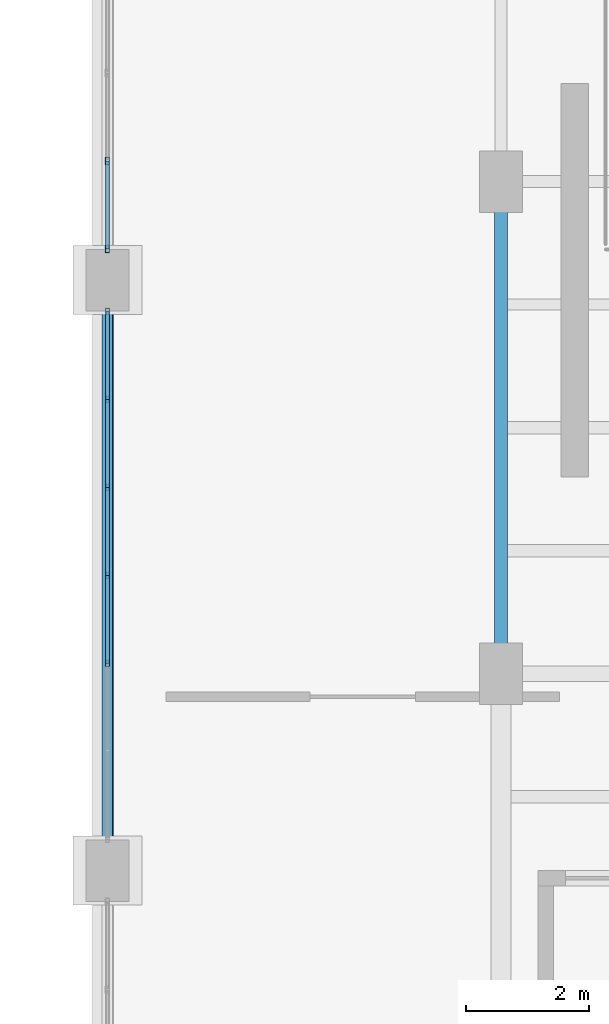
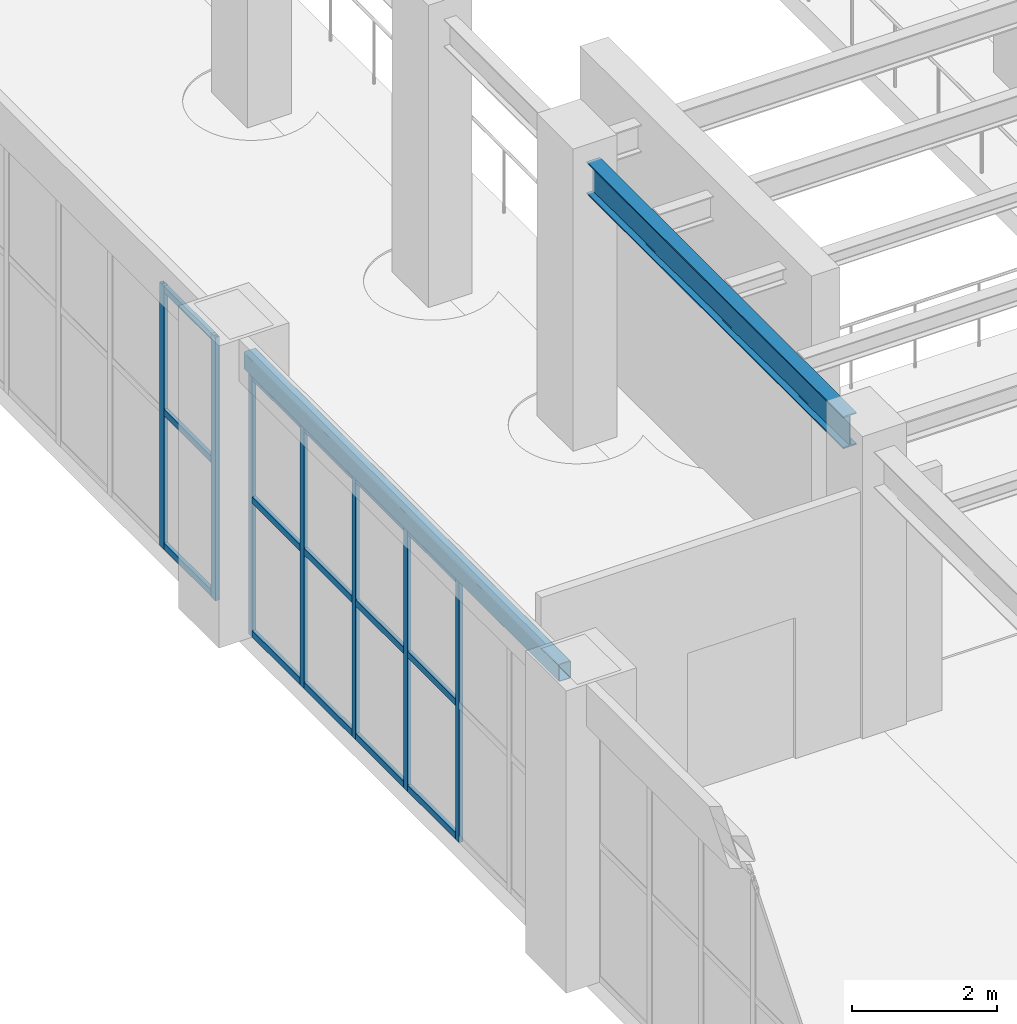
# One storey, part 60 of 174: 22 members, 2 beams, 2 elements without a shape of their own.
"""IFC4 building model written with IfcOpenShell, lengths in metres."""

from ifc_helpers import new_model, si_unit, direction, frame, origin, origin_2d, place, context, subcontext, project, spatial, hollow_rectangle, i_section, extrude, material, material_profile, profile_set, type_object, element, aggregate, save


model = new_model("IFC4")

# Units and contexts
model_context = context("Model", 3, precision=1e-05, world=origin(), true_north=direction((0.0, 1.0)))
body_context = subcontext(model_context, "Body", "Model", "MODEL_VIEW")
ifc_project = project(units=[si_unit("LENGTHUNIT", "METRE"), si_unit("AREAUNIT", "SQUARE_METRE"), si_unit("VOLUMEUNIT", "CUBIC_METRE"), si_unit("PLANEANGLEUNIT", "RADIAN"), si_unit("MASSUNIT", "GRAM", prefix="KILO")], contexts=[model_context])

# Site, building, storey
site_placement = place(None, origin())
site = spatial("IfcSite", under=ifc_project, at=site_placement, CompositionType="ELEMENT")
building_placement = place(site_placement, origin())
building = spatial("IfcBuilding", under=site, at=building_placement, Name="Mavantir Sound Aquarium", CompositionType="ELEMENT")
storey_placement = place(building_placement, frame((0.0, 0.0, 5.39990234375)))
storey = spatial("IfcBuildingStorey", under=building, at=storey_placement, Name="L01", CompositionType="ELEMENT", Elevation=5.39990234375)

# Beams
ifc_material_1 = material(Name="Hollow Structural Steel ASTM A500 GrC", Category="steel")
ifc_material_profile_1 = material_profile(ifc_material_1, hollow_rectangle(XDim=0.199951171875, YDim=0.300048828125, WallThickness=0.012451171875, InnerFilletRadius=0.012451171875, OuterFilletRadius=0.02490234375, at=origin_2d()), Name="RHS 300X200X12.5")
ifc_profile_set_1 = profile_set([ifc_material_profile_1], Name="Hollow Structural Steel ASTM A500 GrC")
beam_type_1 = type_object("IfcBeamType", Name="BM-RHS300-E", PredefinedType="SPANDREL", material=ifc_profile_set_1)
beam_1_placement = place(storey_placement, frame((101.60009765625, 46.050048828125, 4.6259765625), z_axis=(0.0, 1.0, 0.0), x_axis=(-1.0, 0.0, 0.0)))
element("IfcBeam", 1, at=beam_1_placement, inside=storey, type_object=beam_type_1, Name="L01 primary girder SS-R30 1284", PredefinedType="SPANDREL", context=body_context, shape_type="SweptSolid", body=[
    extrude(hollow_rectangle(XDim=0.199951171875, YDim=0.300048828125, WallThickness=0.012451171875, InnerFilletRadius=0.012451171875, OuterFilletRadius=0.02490234375, at=origin_2d()), origin(), (0.0, 0.0, 1.0), 8.699951171875),
])
ifc_material_2 = material(Name="Structural Steel ASTM A992 Gr50", Category="steel")
ifc_material_profile_2 = material_profile(ifc_material_2, i_section(OverallWidth=0.2119140625, OverallDepth=0.5439453125, WebThickness=0.01318359375, FlangeThickness=0.021240234375, FilletRadius=0.01806640625, at=origin_2d()), Name="W530X123")
ifc_profile_set_2 = profile_set([ifc_material_profile_2], Name="Structural Steel ASTM A992 Gr50")
beam_type_2 = type_object("IfcBeamType", Name="BM-W530X123-I", PredefinedType="BEAM", material=ifc_profile_set_2)
beam_2_placement = place(storey_placement, frame((108.0, 49.25, 4.504150390625), z_axis=(0.0, 1.0, 0.0), x_axis=(-1.0, 0.0, 0.0)))
element("IfcBeam", 2, at=beam_2_placement, inside=storey, type_object=beam_type_2, Name="L01 primary girder SB-53 1292", PredefinedType="BEAM", context=body_context, shape_type="SweptSolid", body=[
    extrude(i_section(OverallWidth=0.2119140625, OverallDepth=0.5439453125, WebThickness=0.01318359375, FlangeThickness=0.021240234375, FilletRadius=0.01806640625, at=origin_2d()), origin(), (0.0, 0.0, 1.0), 7.10009765625),
])

# Curtain wall, members
ifc_material_3 = material(Name="Anodised Marine Aluminium and Low-E Glass", Category="aluminium")
curtain_wall_type_1 = type_object("IfcCurtainWallType", Name="CW-T23", PredefinedType="USERDEFINED", material=ifc_material_3)
curtain_wall_1_placement = place(storey_placement, origin())
curtain_wall_1 = element("IfcCurtainWall", 3, at=curtain_wall_1_placement, inside=storey, type_object=curtain_wall_type_1, Name="L01 unitised curtain wall CW-23 95", ObjectType="UNITISED GLAZING", PredefinedType="USERDEFINED")
ifc_material_4 = material(Name="Anodised Marine Aluminium 6063-T6", Category="aluminium")
ifc_material_profile_3 = material_profile(ifc_material_4, hollow_rectangle(XDim=0.06005859375, YDim=0.10009765625, WallThickness=0.00390625, at=origin_2d()), Name="ALU-MULLION-100X60")
ifc_profile_set_3 = profile_set([ifc_material_profile_3], Name="Anodised Marine Aluminium 6063-T6")
member_type_1 = type_object("IfcMemberType", Name="CW-MUL-100", PredefinedType="MULLION", material=ifc_profile_set_3)
member_1_placement = place(storey_placement, frame((101.60009765625, 54.69189453125, 0.0), z_axis=(0.0, 0.0, 1.0), x_axis=(1.0, 0.0, 0.0)))
member_1 = element("IfcMember", 4, at=member_1_placement, type_object=member_type_1, Name="CW-L01-095 vertical mullion 1", PredefinedType="MULLION", context=body_context, shape_type="SweptSolid", body=[
    extrude(hollow_rectangle(XDim=0.06005859375, YDim=0.10009765625, WallThickness=0.00390625, at=origin_2d()), origin(), (0.0, 0.0, 1.0), 4.446044921875),
])
member_2_placement = place(storey_placement, frame((101.60009765625, 53.26123046875, 0.0), z_axis=(0.0, 0.0, 1.0), x_axis=(1.0, 0.0, 0.0)))
member_2 = element("IfcMember", 5, at=member_2_placement, type_object=member_type_1, Name="CW-L01-095 vertical mullion 2", PredefinedType="MULLION", context=body_context, shape_type="SweptSolid", body=[
    extrude(hollow_rectangle(XDim=0.06005859375, YDim=0.10009765625, WallThickness=0.00390625, at=origin_2d()), origin(), (0.0, 0.0, 1.0), 4.446044921875),
])
member_3_placement = place(storey_placement, frame((101.60009765625, 51.830810546875, 0.0), z_axis=(0.0, 0.0, 1.0), x_axis=(1.0, 0.0, 0.0)))
member_3 = element("IfcMember", 6, at=member_3_placement, type_object=member_type_1, Name="CW-L01-095 vertical mullion 3", PredefinedType="MULLION", context=body_context, shape_type="SweptSolid", body=[
    extrude(hollow_rectangle(XDim=0.06005859375, YDim=0.10009765625, WallThickness=0.00390625, at=origin_2d()), origin(), (0.0, 0.0, 1.0), 4.446044921875),
])
member_4_placement = place(storey_placement, frame((101.60009765625, 50.39990234375, 0.0), z_axis=(0.0, 0.0, 1.0), x_axis=(1.0, 0.0, 0.0)))
member_4 = element("IfcMember", 7, at=member_4_placement, type_object=member_type_1, Name="CW-L01-095 vertical mullion 4", PredefinedType="MULLION", context=body_context, shape_type="SweptSolid", body=[
    extrude(hollow_rectangle(XDim=0.06005859375, YDim=0.10009765625, WallThickness=0.00390625, at=origin_2d()), origin(), (0.0, 0.0, 1.0), 4.446044921875),
])
member_5_placement = place(storey_placement, frame((101.60009765625, 48.96923828125, 0.0), z_axis=(0.0, 0.0, 1.0), x_axis=(1.0, 0.0, 0.0)))
member_5 = element("IfcMember", 8, at=member_5_placement, type_object=member_type_1, Name="CW-L01-095 vertical mullion 5", PredefinedType="MULLION", context=body_context, shape_type="SweptSolid", body=[
    extrude(hollow_rectangle(XDim=0.06005859375, YDim=0.10009765625, WallThickness=0.00390625, at=origin_2d()), origin(), (0.0, 0.0, 1.0), 4.446044921875),
])

curtain_wall_type_2 = type_object("IfcCurtainWallType", Name="CW-T22", PredefinedType="USERDEFINED", material=ifc_material_3)
curtain_wall_2_placement = place(storey_placement, origin())
curtain_wall_2 = element("IfcCurtainWall", 9, at=curtain_wall_2_placement, inside=storey, type_object=curtain_wall_type_2, Name="L01 unitised curtain wall CW-22 94", ObjectType="UNITISED GLAZING", PredefinedType="USERDEFINED")
ifc_material_profile_4 = material_profile(ifc_material_4, hollow_rectangle(XDim=0.06494140625, YDim=0.1201171875, WallThickness=0.00390625, at=origin_2d()), Name="ALU-MULLION-120X65")
ifc_profile_set_4 = profile_set([ifc_material_profile_4], Name="Anodised Marine Aluminium 6063-T6")
member_type_2 = type_object("IfcMemberType", Name="CW-MUL-120", PredefinedType="MULLION", material=ifc_profile_set_4)
member_6_placement = place(storey_placement, frame((101.60009765625, 57.138671875, 0.0), z_axis=(0.0, 0.0, 1.0), x_axis=(1.0, 0.0, 0.0)))
member_6 = element("IfcMember", 10, at=member_6_placement, type_object=member_type_2, Name="CW-L01-094 vertical mullion 6", PredefinedType="MULLION", context=body_context, shape_type="SweptSolid", body=[
    extrude(hollow_rectangle(XDim=0.06494140625, YDim=0.1201171875, WallThickness=0.00390625, at=origin_2d()), origin(), (0.0, 0.0, 1.0), 4.446044921875),
])
member_7_placement = place(storey_placement, frame((101.60009765625, 55.7080078125, 0.0), z_axis=(0.0, 0.0, 1.0), x_axis=(1.0, 0.0, 0.0)))
member_7 = element("IfcMember", 11, at=member_7_placement, type_object=member_type_2, Name="CW-L01-094 vertical mullion 7", PredefinedType="MULLION", context=body_context, shape_type="SweptSolid", body=[
    extrude(hollow_rectangle(XDim=0.06494140625, YDim=0.1201171875, WallThickness=0.00390625, at=origin_2d()), origin(), (0.0, 0.0, 1.0), 4.446044921875),
])
ifc_material_profile_5 = material_profile(ifc_material_4, hollow_rectangle(XDim=0.06005859375, YDim=0.110107421875, WallThickness=0.00390625, at=origin_2d()), Name="ALU-TRANSOM-110X60")
ifc_profile_set_5 = profile_set([ifc_material_profile_5], Name="Anodised Marine Aluminium 6063-T6")
member_type_3 = type_object("IfcMemberType", Name="CW-TRN-110", PredefinedType="USERDEFINED", material=ifc_profile_set_5)
member_8_placement = place(storey_placement, frame((101.60009765625, 57.138671875, 0.05517578125), z_axis=(0.0, -1.0, 0.0), x_axis=(1.0, 0.0, 0.0)))
member_8 = element("IfcMember", 12, at=member_8_placement, type_object=member_type_3, Name="CW-L01-094 transom 6.1", ObjectType="TRANSOM", PredefinedType="USERDEFINED", context=body_context, shape_type="SweptSolid", body=[
    extrude(hollow_rectangle(XDim=0.06005859375, YDim=0.110107421875, WallThickness=0.00390625, at=origin_2d()), origin(), (0.0, 0.0, 1.0), 1.4306640625),
])
member_9_placement = place(storey_placement, frame((101.60009765625, 57.138671875, 2.31201171875), z_axis=(0.0, -1.0, 0.0), x_axis=(1.0, 0.0, 0.0)))
member_9 = element("IfcMember", 13, at=member_9_placement, type_object=member_type_3, Name="CW-L01-094 transom 6.2", ObjectType="TRANSOM", PredefinedType="USERDEFINED", context=body_context, shape_type="SweptSolid", body=[
    extrude(hollow_rectangle(XDim=0.06005859375, YDim=0.110107421875, WallThickness=0.00390625, at=origin_2d()), origin(), (0.0, 0.0, 1.0), 1.4306640625),
])
member_10_placement = place(storey_placement, frame((101.60009765625, 57.138671875, 4.39111328125), z_axis=(0.0, -1.0, 0.0), x_axis=(1.0, 0.0, 0.0)))
member_10 = element("IfcMember", 14, at=member_10_placement, type_object=member_type_3, Name="CW-L01-094 transom 6.3", ObjectType="TRANSOM", PredefinedType="USERDEFINED", context=body_context, shape_type="SweptSolid", body=[
    extrude(hollow_rectangle(XDim=0.06005859375, YDim=0.110107421875, WallThickness=0.00390625, at=origin_2d()), origin(), (0.0, 0.0, 1.0), 1.4306640625),
])
aggregate(curtain_wall_2, [member_6, member_7, member_8, member_9, member_10])

# Member
member_11_placement = place(storey_placement, frame((101.60009765625, 54.69189453125, 0.05517578125), z_axis=(0.0, -1.0, 0.0), x_axis=(1.0, 0.0, 0.0)))
member_11 = element("IfcMember", 15, at=member_11_placement, type_object=member_type_3, Name="CW-L01-095 transom 1.1", ObjectType="TRANSOM", PredefinedType="USERDEFINED", context=body_context, shape_type="SweptSolid", body=[
    extrude(hollow_rectangle(XDim=0.06005859375, YDim=0.110107421875, WallThickness=0.00390625, at=origin_2d()), origin(), (0.0, 0.0, 1.0), 1.4306640625),
])

member_12_placement = place(storey_placement, frame((101.60009765625, 54.69189453125, 2.31201171875), z_axis=(0.0, -1.0, 0.0), x_axis=(1.0, 0.0, 0.0)))
member_12 = element("IfcMember", 16, at=member_12_placement, type_object=member_type_3, Name="CW-L01-095 transom 1.2", ObjectType="TRANSOM", PredefinedType="USERDEFINED", context=body_context, shape_type="SweptSolid", body=[
    extrude(hollow_rectangle(XDim=0.06005859375, YDim=0.110107421875, WallThickness=0.00390625, at=origin_2d()), origin(), (0.0, 0.0, 1.0), 1.4306640625),
])

member_13_placement = place(storey_placement, frame((101.60009765625, 54.69189453125, 4.39111328125), z_axis=(0.0, -1.0, 0.0), x_axis=(1.0, 0.0, 0.0)))
member_13 = element("IfcMember", 17, at=member_13_placement, type_object=member_type_3, Name="CW-L01-095 transom 1.3", ObjectType="TRANSOM", PredefinedType="USERDEFINED", context=body_context, shape_type="SweptSolid", body=[
    extrude(hollow_rectangle(XDim=0.06005859375, YDim=0.110107421875, WallThickness=0.00390625, at=origin_2d()), origin(), (0.0, 0.0, 1.0), 1.4306640625),
])

member_14_placement = place(storey_placement, frame((101.60009765625, 53.26123046875, 0.05517578125), z_axis=(0.0, -1.0, 0.0), x_axis=(1.0, 0.0, 0.0)))
member_14 = element("IfcMember", 18, at=member_14_placement, type_object=member_type_3, Name="CW-L01-095 transom 2.1", ObjectType="TRANSOM", PredefinedType="USERDEFINED", context=body_context, shape_type="SweptSolid", body=[
    extrude(hollow_rectangle(XDim=0.06005859375, YDim=0.110107421875, WallThickness=0.00390625, at=origin_2d()), origin(), (0.0, 0.0, 1.0), 1.430419921875),
])

member_15_placement = place(storey_placement, frame((101.60009765625, 53.26123046875, 2.31201171875), z_axis=(0.0, -1.0, 0.0), x_axis=(1.0, 0.0, 0.0)))
member_15 = element("IfcMember", 19, at=member_15_placement, type_object=member_type_3, Name="CW-L01-095 transom 2.2", ObjectType="TRANSOM", PredefinedType="USERDEFINED", context=body_context, shape_type="SweptSolid", body=[
    extrude(hollow_rectangle(XDim=0.06005859375, YDim=0.110107421875, WallThickness=0.00390625, at=origin_2d()), origin(), (0.0, 0.0, 1.0), 1.430419921875),
])

member_16_placement = place(storey_placement, frame((101.60009765625, 53.26123046875, 4.39111328125), z_axis=(0.0, -1.0, 0.0), x_axis=(1.0, 0.0, 0.0)))
member_16 = element("IfcMember", 20, at=member_16_placement, type_object=member_type_3, Name="CW-L01-095 transom 2.3", ObjectType="TRANSOM", PredefinedType="USERDEFINED", context=body_context, shape_type="SweptSolid", body=[
    extrude(hollow_rectangle(XDim=0.06005859375, YDim=0.110107421875, WallThickness=0.00390625, at=origin_2d()), origin(), (0.0, 0.0, 1.0), 1.430419921875),
])

member_17_placement = place(storey_placement, frame((101.60009765625, 51.830810546875, 0.05517578125), z_axis=(0.0, -1.0, 0.0), x_axis=(1.0, 0.0, 0.0)))
member_17 = element("IfcMember", 21, at=member_17_placement, type_object=member_type_3, Name="CW-L01-095 transom 3.1", ObjectType="TRANSOM", PredefinedType="USERDEFINED", context=body_context, shape_type="SweptSolid", body=[
    extrude(hollow_rectangle(XDim=0.06005859375, YDim=0.110107421875, WallThickness=0.00390625, at=origin_2d()), origin(), (0.0, 0.0, 1.0), 1.430908203125),
])

member_18_placement = place(storey_placement, frame((101.60009765625, 51.830810546875, 2.31201171875), z_axis=(0.0, -1.0, 0.0), x_axis=(1.0, 0.0, 0.0)))
member_18 = element("IfcMember", 22, at=member_18_placement, type_object=member_type_3, Name="CW-L01-095 transom 3.2", ObjectType="TRANSOM", PredefinedType="USERDEFINED", context=body_context, shape_type="SweptSolid", body=[
    extrude(hollow_rectangle(XDim=0.06005859375, YDim=0.110107421875, WallThickness=0.00390625, at=origin_2d()), origin(), (0.0, 0.0, 1.0), 1.430908203125),
])

member_19_placement = place(storey_placement, frame((101.60009765625, 51.830810546875, 4.39111328125), z_axis=(0.0, -1.0, 0.0), x_axis=(1.0, 0.0, 0.0)))
member_19 = element("IfcMember", 23, at=member_19_placement, type_object=member_type_3, Name="CW-L01-095 transom 3.3", ObjectType="TRANSOM", PredefinedType="USERDEFINED", context=body_context, shape_type="SweptSolid", body=[
    extrude(hollow_rectangle(XDim=0.06005859375, YDim=0.110107421875, WallThickness=0.00390625, at=origin_2d()), origin(), (0.0, 0.0, 1.0), 1.430908203125),
])

member_20_placement = place(storey_placement, frame((101.60009765625, 50.39990234375, 0.05517578125), z_axis=(0.0, -1.0, 0.0), x_axis=(1.0, 0.0, 0.0)))
member_20 = element("IfcMember", 24, at=member_20_placement, type_object=member_type_3, Name="CW-L01-095 transom 4.1", ObjectType="TRANSOM", PredefinedType="USERDEFINED", context=body_context, shape_type="SweptSolid", body=[
    extrude(hollow_rectangle(XDim=0.06005859375, YDim=0.110107421875, WallThickness=0.00390625, at=origin_2d()), origin(), (0.0, 0.0, 1.0), 1.4306640625),
])

member_21_placement = place(storey_placement, frame((101.60009765625, 50.39990234375, 2.31201171875), z_axis=(0.0, -1.0, 0.0), x_axis=(1.0, 0.0, 0.0)))
member_21 = element("IfcMember", 25, at=member_21_placement, type_object=member_type_3, Name="CW-L01-095 transom 4.2", ObjectType="TRANSOM", PredefinedType="USERDEFINED", context=body_context, shape_type="SweptSolid", body=[
    extrude(hollow_rectangle(XDim=0.06005859375, YDim=0.110107421875, WallThickness=0.00390625, at=origin_2d()), origin(), (0.0, 0.0, 1.0), 1.4306640625),
])

member_22_placement = place(storey_placement, frame((101.60009765625, 50.39990234375, 4.39111328125), z_axis=(0.0, -1.0, 0.0), x_axis=(1.0, 0.0, 0.0)))
member_22 = element("IfcMember", 26, at=member_22_placement, type_object=member_type_3, Name="CW-L01-095 transom 4.3", ObjectType="TRANSOM", PredefinedType="USERDEFINED", context=body_context, shape_type="SweptSolid", body=[
    extrude(hollow_rectangle(XDim=0.06005859375, YDim=0.110107421875, WallThickness=0.00390625, at=origin_2d()), origin(), (0.0, 0.0, 1.0), 1.4306640625),
])

aggregate(curtain_wall_1, [member_1, member_2, member_3, member_4, member_5, member_11, member_12, member_13, member_14, member_15, member_16, member_17, member_18, member_19, member_20, member_21, member_22])

save(model, "model.ifc")
